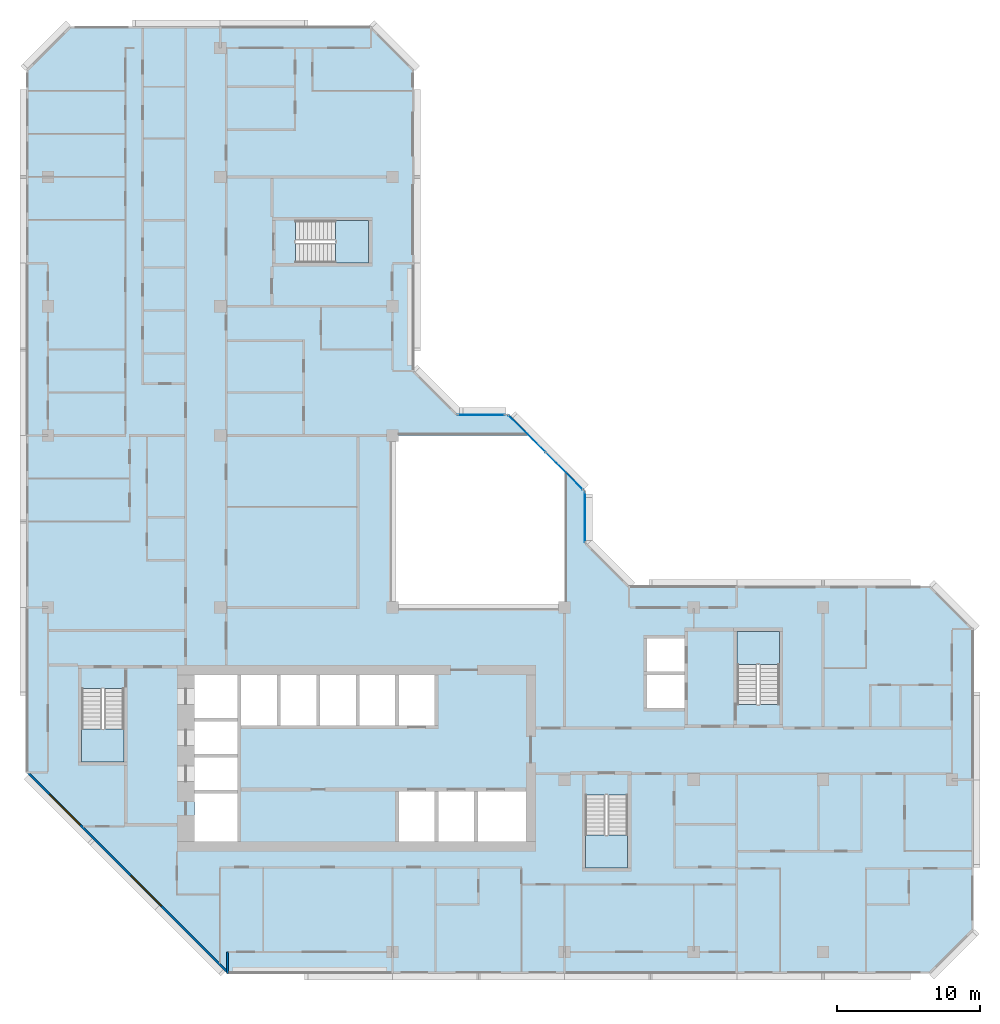
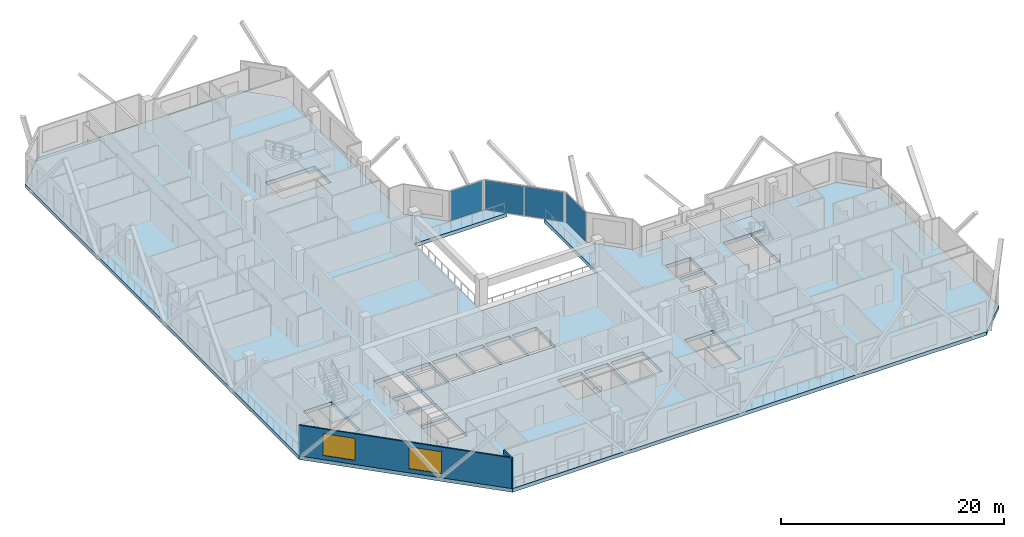
# One storey, part 3 of 15: 5 slabs, 4 plates, 2 walls, 2 windows, 2 openings, 7 elements without a shape of their own.
"""IFC4 building model written with IfcOpenShell, lengths in metres."""

from ifc_helpers import new_model, si_unit, direction, frame, frame_2d, origin, origin_2d, place, context, subcontext, project, spatial, polyline, rectangle, outline, extrude, material, layer, layer_set, type_object, element, fill, aggregate, save


model = new_model("IFC4")

# Units and contexts
model_context = context("Model", 3, precision=1e-05, world=origin(), true_north=direction((0.0, 1.0)))
body_context = subcontext(model_context, "Body", "Model", "MODEL_VIEW")
ifc_project = project(units=[si_unit("LENGTHUNIT", "METRE"), si_unit("AREAUNIT", "SQUARE_METRE"), si_unit("VOLUMEUNIT", "CUBIC_METRE"), si_unit("PLANEANGLEUNIT", "RADIAN"), si_unit("MASSUNIT", "GRAM", prefix="KILO")], contexts=[model_context])

# Site, building, storey
site_placement = place(None, origin())
site = spatial("IfcSite", under=ifc_project, at=site_placement, CompositionType="ELEMENT")
building_placement = place(site_placement, origin())
building = spatial("IfcBuilding", under=site, at=building_placement, Name="Chenar Terraces", CompositionType="ELEMENT")
storey_placement = place(building_placement, frame((0.0, 0.0, 211.64990234375)))
storey = spatial("IfcBuildingStorey", under=building, at=storey_placement, Name="L49", CompositionType="ELEMENT", Elevation=211.64990234375)

# Curtain wall, plate
ifc_material_1 = material(Name="Aluminium framed glazing", Category="aluminium")
ifc_layer_1 = layer(ifc_material_1, 0.14990234375)
ifc_layer_set_1 = layer_set([ifc_layer_1], Name="Aluminium framed glazing")
curtain_wall_type = type_object("IfcCurtainWallType", Name="Atrium mid-zone curtain wall", PredefinedType="NOTDEFINED", material=ifc_layer_set_1)
placement_1 = place(storey_placement, origin())
curtain_wall_1 = element("IfcCurtainWall", 1, at=placement_1, inside=storey, type_object=curtain_wall_type, Name="Atrium mid-zone curtain wall", PredefinedType="NOTDEFINED")
ifc_material_2 = material(Name="Low emissivity laminated glass, solar control coating", Category="glass")
ifc_layer_2 = layer(ifc_material_2, 0.031982421875)
ifc_layer_set_2 = layer_set([ifc_layer_2], Name="Low emissivity laminated glass, solar control coating")
plate_type = type_object("IfcPlateType", Name="Atrium mid-zone glazing panel 32", PredefinedType="CURTAIN_PANEL", material=ifc_layer_set_2)
plate_1_placement = place(storey_placement, frame((37.425048828125, 30.300048828125, 0.070068359375), z_axis=(0.0, 0.0, 1.0), x_axis=(0.0, 1.0, 0.0)))
plate_1 = element("IfcPlate", 2, at=plate_1_placement, type_object=plate_type, Name="CW7-1 panel 1.1", PredefinedType="CURTAIN_PANEL", context=body_context, shape_type="SweptSolid", body=[
    extrude(rectangle(XDim=3.4599609375, YDim=0.031982421875, at=origin_2d()), origin(), (0.0, 0.0, 1.0), 3.2099609375),
])
aggregate(curtain_wall_1, [plate_1])

# Curtain wall, plates
curtain_wall_2 = element("IfcCurtainWall", 3, at=placement_1, inside=storey, type_object=curtain_wall_type, Name="Atrium mid-zone curtain wall", PredefinedType="NOTDEFINED")
plate_2_placement = place(storey_placement, frame((35.978515625, 33.515380859375, 0.070068359375), z_axis=(0.0, 0.0, 1.0), x_axis=(-0.707106781187, 0.707106781187, 0.0)))
plate_2 = element("IfcPlate", 4, at=plate_2_placement, type_object=plate_type, Name="CW7-2 panel 1.1", PredefinedType="CURTAIN_PANEL", context=body_context, shape_type="SweptSolid", body=[
    extrude(rectangle(XDim=3.61328125, YDim=0.031982421875, at=origin_2d()), origin(), (0.0, 0.0, 1.0), 3.2099609375),
])
plate_3_placement = place(storey_placement, frame((33.3740234375, 36.119873046875, 0.070068359375), z_axis=(0.0, 0.0, 1.0), x_axis=(-0.707106781187, 0.707106781187, 0.0)))
plate_3 = element("IfcPlate", 5, at=plate_3_placement, type_object=plate_type, Name="CW7-2 panel 2.1", PredefinedType="CURTAIN_PANEL", context=body_context, shape_type="SweptSolid", body=[
    extrude(rectangle(XDim=3.61328125, YDim=0.031982421875, at=origin_2d()), origin(), (0.0, 0.0, 1.0), 3.2099609375),
])
aggregate(curtain_wall_2, [plate_2, plate_3])

# Curtain wall, plate
curtain_wall_3 = element("IfcCurtainWall", 6, at=placement_1, inside=storey, type_object=curtain_wall_type, Name="Atrium mid-zone curtain wall", PredefinedType="NOTDEFINED")
plate_4_placement = place(storey_placement, frame((30.199951171875, 37.425048828125, 0.070068359375), z_axis=(0.0, 0.0, 1.0), x_axis=(-1.0, 0.0, 0.0)))
plate_4 = element("IfcPlate", 7, at=plate_4_placement, type_object=plate_type, Name="CW7-3 panel 1.1", PredefinedType="CURTAIN_PANEL", context=body_context, shape_type="SweptSolid", body=[
    extrude(rectangle(XDim=3.260009765625, YDim=0.031982421875, at=origin_2d()), origin(), (0.0, 0.0, 1.0), 3.2099609375),
])
aggregate(curtain_wall_3, [plate_4])

# Stair, slab
ifc_material_3 = material(Name="Reinforced concrete C40/50", Category="concrete")
stair_type = type_object("IfcStairType", Name="Core stair 1400 half-turn", PredefinedType="HALF_TURN_STAIR", material=ifc_material_3)
stair_1 = element("IfcStair", 8, at=placement_1, inside=storey, type_object=stair_type, Name="L49 Stair 1", PredefinedType="HALF_TURN_STAIR")
ifc_material_4 = material(Name="Reinforced concrete C40/50", Category="concrete")
ifc_layer_3 = layer(ifc_material_4, 0.199951171875)
ifc_layer_set_3 = layer_set([ifc_layer_3], Name="Reinforced concrete C40/50")
slab_type_1 = type_object("IfcSlabType", Name="Core stair landing 200", PredefinedType="LANDING", material=ifc_layer_set_3)
placement_2 = place(storey_placement, frame((0.0, 0.0, 1.675048828125)))
slab_1 = element("IfcSlab", 9, at=placement_2, type_object=slab_type_1, Name="ST1 landing 1", PredefinedType="LANDING", context=body_context, shape_type="SweptSolid", body=[
    extrude(outline(polyline([(2.35009765625, 15.550048828125), (2.35009765625, 13.25), (5.300048828125, 13.25), (5.300048828125, 15.550048828125), (2.35009765625, 15.550048828125)])), origin(), (0.0, 0.0, 1.0), 0.199951171875),
])
aggregate(stair_1, [slab_1])

stair_2 = element("IfcStair", 10, at=placement_1, inside=storey, type_object=stair_type, Name="L49 Stair 2", PredefinedType="HALF_TURN_STAIR")
slab_2 = element("IfcSlab", 11, at=placement_2, type_object=slab_type_1, Name="ST2 landing 1", PredefinedType="LANDING", context=body_context, shape_type="SweptSolid", body=[
    extrude(outline(polyline([(37.449951171875, 8.14990234375), (37.449951171875, 5.85009765625), (40.39990234375, 5.85009765625), (40.39990234375, 8.14990234375), (37.449951171875, 8.14990234375)])), origin(), (0.0, 0.0, 1.0), 0.199951171875),
])
aggregate(stair_2, [slab_2])

stair_3 = element("IfcStair", 12, at=placement_1, inside=storey, type_object=stair_type, Name="L49 Stair 3", PredefinedType="HALF_TURN_STAIR")
slab_3 = element("IfcSlab", 13, at=placement_2, type_object=slab_type_1, Name="ST3 landing 1", PredefinedType="LANDING", context=body_context, shape_type="SweptSolid", body=[
    extrude(outline(polyline([(50.97509765625, 20.050048828125), (50.97509765625, 22.35009765625), (48.02490234375, 22.35009765625), (48.02490234375, 20.050048828125), (50.97509765625, 20.050048828125)])), origin(), (0.0, 0.0, 1.0), 0.199951171875),
])
aggregate(stair_3, [slab_3])

stair_4 = element("IfcStair", 14, at=placement_1, inside=storey, type_object=stair_type, Name="L49 Stair 4", PredefinedType="HALF_TURN_STAIR")
slab_4 = element("IfcSlab", 15, at=placement_2, type_object=slab_type_1, Name="ST4 landing 1", PredefinedType="LANDING", context=body_context, shape_type="SweptSolid", body=[
    extrude(outline(polyline([(20.050048828125, 48.02490234375), (22.35009765625, 48.02490234375), (22.35009765625, 50.97509765625), (20.050048828125, 50.97509765625), (20.050048828125, 48.02490234375)])), origin(), (0.0, 0.0, 1.0), 0.199951171875),
])
aggregate(stair_4, [slab_4])

# Slab
ifc_material_5 = material(Name="Concrete C40/50", Category="concrete")
ifc_layer_4 = layer(ifc_material_5, 0.39990234375)
ifc_layer_set_4 = layer_set([ifc_layer_4], Name="Concrete C40/50")
slab_type_2 = type_object("IfcSlabType", Name="Floor slab 400 Concrete C40/50", PredefinedType="FLOOR", material=ifc_layer_set_4)
slab_5_placement = place(storey_placement, frame((0.0, 0.0, -0.39990234375)))
element("IfcSlab", 16, at=slab_5_placement, inside=storey, type_object=slab_type_2, Name="Floor slab L49", PredefinedType="FLOOR", context=body_context, shape_type="SweptSolid", body=[
    extrude(outline(polyline([(64.5, 22.5), (64.5, 1.5), (61.5, -1.5), (12.5, -1.5), (-1.5, 12.5), (-1.5, 61.5), (1.5, 64.5), (22.5, 64.5), (25.5, 61.5), (25.5, 40.5), (28.5, 37.5), (32.10009765625, 37.5), (33.60009765625, 36.0), (24.0, 36.0), (24.0, 24.0), (36.0, 24.0), (36.0, 33.60009765625), (37.5, 32.10009765625), (37.5, 28.5), (40.5, 25.5), (61.5, 25.5), (64.5, 22.5)]), holes=[polyline([(13.199951171875, 11.050048828125), (10.199951171875, 11.050048828125), (10.199951171875, 7.699951171875), (13.199951171875, 7.699951171875), (13.199951171875, 11.050048828125)]), polyline([(13.199951171875, 13.550048828125), (10.199951171875, 13.550048828125), (10.199951171875, 11.300048828125), (13.199951171875, 11.300048828125), (13.199951171875, 13.550048828125)]), polyline([(13.199951171875, 16.050048828125), (10.199951171875, 16.050048828125), (10.199951171875, 13.800048828125), (13.199951171875, 13.800048828125), (13.199951171875, 16.050048828125)]), polyline([(2.35009765625, 13.25), (5.300048828125, 13.25), (5.300048828125, 18.35009765625), (2.35009765625, 18.35009765625), (2.35009765625, 13.25)]), polyline([(15.949951171875, 19.300048828125), (13.449951171875, 19.300048828125), (13.449951171875, 15.800048828125), (15.949951171875, 15.800048828125), (15.949951171875, 19.300048828125)]), polyline([(18.699951171875, 19.300048828125), (16.199951171875, 19.300048828125), (16.199951171875, 15.800048828125), (18.699951171875, 15.800048828125), (18.699951171875, 19.300048828125)]), polyline([(21.449951171875, 19.300048828125), (18.949951171875, 19.300048828125), (18.949951171875, 15.800048828125), (21.449951171875, 15.800048828125), (21.449951171875, 19.300048828125)]), polyline([(24.199951171875, 15.800048828125), (24.199951171875, 19.300048828125), (21.699951171875, 19.300048828125), (21.699951171875, 15.800048828125), (24.199951171875, 15.800048828125)]), polyline([(13.199951171875, 16.300048828125), (13.199951171875, 19.300048828125), (10.199951171875, 19.300048828125), (10.199951171875, 16.300048828125), (13.199951171875, 16.300048828125)]), polyline([(22.35009765625, 48.02490234375), (22.35009765625, 50.97509765625), (17.25, 50.97509765625), (17.25, 48.02490234375), (22.35009765625, 48.02490234375)]), polyline([(37.449951171875, 5.85009765625), (40.39990234375, 5.85009765625), (40.39990234375, 10.949951171875), (37.449951171875, 10.949951171875), (37.449951171875, 5.85009765625)]), polyline([(26.949951171875, 11.199951171875), (24.449951171875, 11.199951171875), (24.449951171875, 7.699951171875), (26.949951171875, 7.699951171875), (26.949951171875, 11.199951171875)]), polyline([(29.699951171875, 7.699951171875), (29.699951171875, 11.199951171875), (27.199951171875, 11.199951171875), (27.199951171875, 7.699951171875), (29.699951171875, 7.699951171875)]), polyline([(33.300048828125, 7.699951171875), (33.300048828125, 11.199951171875), (29.949951171875, 11.199951171875), (29.949951171875, 7.699951171875), (33.300048828125, 7.699951171875)]), polyline([(26.949951171875, 19.300048828125), (24.449951171875, 19.300048828125), (24.449951171875, 15.800048828125), (26.949951171875, 15.800048828125), (26.949951171875, 19.300048828125)]), polyline([(44.35009765625, 19.300048828125), (41.75, 19.300048828125), (41.75, 17.0), (44.35009765625, 17.0), (44.35009765625, 19.300048828125)]), polyline([(50.97509765625, 22.35009765625), (48.02490234375, 22.35009765625), (48.02490234375, 17.25), (50.97509765625, 17.25), (50.97509765625, 22.35009765625)]), polyline([(44.35009765625, 19.550048828125), (44.35009765625, 21.85009765625), (41.75, 21.85009765625), (41.75, 19.550048828125), (44.35009765625, 19.550048828125)])]), origin(), (0.0, 0.0, 1.0), 0.39990234375),
])

# Wall
ifc_material_6 = material(Name="Terracotta cladding on insulated backing", Category="masonry")
ifc_layer_5 = layer(ifc_material_6, 0.14990234375)
ifc_layer_set_5 = layer_set([ifc_layer_5], Name="Terracotta cladding on insulated backing")
wall_type_1 = type_object("IfcWallType", Name="Loggia return wall 150", PredefinedType="SOLIDWALL", material=ifc_layer_set_5)
wall_1_placement = place(storey_placement, frame((12.5, -1.5, 0.0), z_axis=(0.0, 0.0, 1.0), x_axis=(0.0, 1.0, 0.0)))
element("IfcWall", 17, at=wall_1_placement, inside=storey, type_object=wall_type_1, Name="Loggia return wall", PredefinedType="SOLIDWALL", context=body_context, shape_type="SweptSolid", body=[
    extrude(rectangle(XDim=1.5, YDim=0.14990234375, at=frame_2d((0.75, 0.0))), origin(), (0.0, 0.0, 1.0), 3.35009765625),
])

# Wall, openings, windows
ifc_material_7 = material(Name="Terracotta cladding on insulated backing", Category="masonry")
ifc_layer_6 = layer(ifc_material_7, 0.14990234375)
ifc_layer_set_6 = layer_set([ifc_layer_6], Name="Terracotta cladding on insulated backing")
wall_type_2 = type_object("IfcWallType", Name="Terracotta rainscreen wall 150", PredefinedType="SOLIDWALL", material=ifc_layer_set_6)
wall_2_placement = place(storey_placement, frame((-1.447021484375, 12.552978515625, 0.0), z_axis=(0.0, 0.0, 1.0), x_axis=(0.707106781187, -0.707106781187, 0.0)))
wall_2 = element("IfcWall", 18, at=wall_2_placement, inside=storey, type_object=wall_type_2, Name="Terracotta rainscreen wall", PredefinedType="SOLIDWALL", context=body_context, shape_type="SweptSolid", body=[
    extrude(rectangle(XDim=19.799072265625, YDim=0.14990234375, at=frame_2d((9.8994140625, 0.0))), origin(), (0.0, 0.0, 1.0), 3.35009765625),
])
opening_1_placement = place(wall_2_placement, frame((2.21240234375, 0.0, 0.449951171875)))
opening_1 = element("IfcOpeningElement", 19, at=opening_1_placement, cuts=wall_2, Name="Opening W300x240", PredefinedType="OPENING", context=body_context, shape_type="SweptSolid", body=[
    extrude(rectangle(XDim=3.0, YDim=2.39990234375, at=frame_2d((1.5, 1.199951171875))), frame((0.0, 0.0849609375, 0.0), z_axis=(0.0, -1.0, 0.0), x_axis=(1.0, 0.0, 0.0)), (0.0, 0.0, 1.0), 0.169921875),
])
opening_2_placement = place(wall_2_placement, frame((10.215576171875, 0.0, 0.449951171875)))
opening_2 = element("IfcOpeningElement", 20, at=opening_2_placement, cuts=wall_2, Name="Opening W300x240", PredefinedType="OPENING", context=body_context, shape_type="SweptSolid", body=[
    extrude(rectangle(XDim=3.0, YDim=2.39990234375, at=frame_2d((1.5, 1.199951171875))), frame((0.0, 0.0849609375, 0.0), z_axis=(0.0, -1.0, 0.0), x_axis=(1.0, 0.0, 0.0)), (0.0, 0.0, 1.0), 0.169921875),
])
ifc_material_8 = material(Name="Low emissivity double glazing, aluminium frame", Category="aluminium")
window_type = type_object("IfcWindowType", Name="Fixed light 3000 x 2400", PartitioningType="SINGLE_PANEL", PredefinedType="WINDOW", material=ifc_material_8)
window_1_placement = place(opening_1_placement, origin())
window_1 = element("IfcWindow", 21, at=window_1_placement, inside=storey, type_object=window_type, Name="Window", OverallHeight=2.39990234375, OverallWidth=3.0, PartitioningType="SINGLE_PANEL", PredefinedType="WINDOW", context=body_context, shape_type="SweptSolid", body=[
    extrude(rectangle(XDim=3.0, YDim=2.39990234375, at=frame_2d((1.5, 1.199951171875))), frame((0.0, 0.030029296875, 0.0), z_axis=(0.0, -1.0, 0.0), x_axis=(1.0, 0.0, 0.0)), (0.0, 0.0, 1.0), 0.06005859375),
])
fill(opening_1, window_1)
window_2_placement = place(opening_2_placement, origin())
window_2 = element("IfcWindow", 22, at=window_2_placement, inside=storey, type_object=window_type, Name="Window", OverallHeight=2.39990234375, OverallWidth=3.0, PartitioningType="SINGLE_PANEL", PredefinedType="WINDOW", context=body_context, shape_type="SweptSolid", body=[
    extrude(rectangle(XDim=3.0, YDim=2.39990234375, at=frame_2d((1.5, 1.199951171875))), frame((0.0, 0.030029296875, 0.0), z_axis=(0.0, -1.0, 0.0), x_axis=(1.0, 0.0, 0.0)), (0.0, 0.0, 1.0), 0.06005859375),
])
fill(opening_2, window_2)

save(model, "model.ifc")
